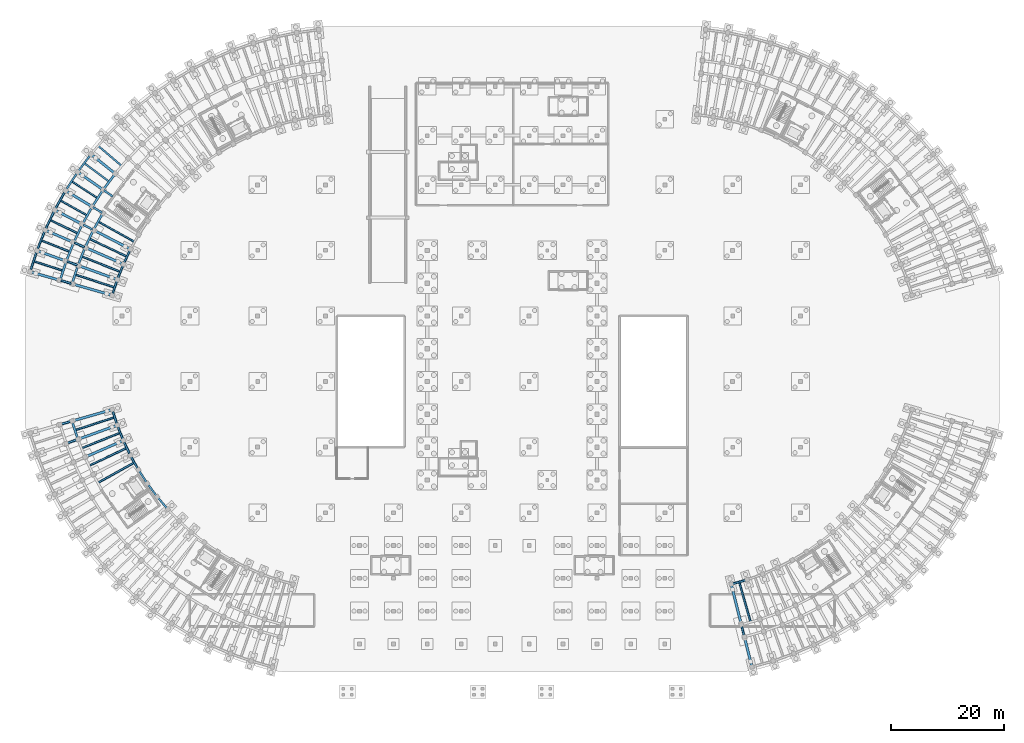
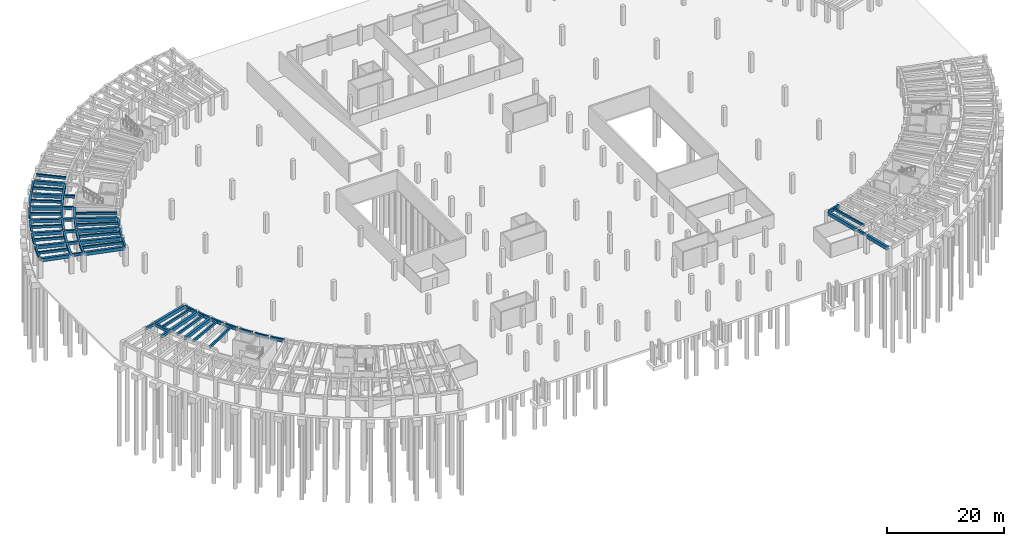
# One storey, part 11 of 29: 69 beams.
"""IFC4 building model written with IfcOpenShell, lengths in metres."""

from ifc_helpers import new_model, si_unit, direction, frame, origin, origin_2d, place, context, subcontext, project, spatial, rectangle, extrude, material, material_profile, profile_set, type_object, element, save


model = new_model("IFC4")

# Units and contexts
model_context = context("Model", 3, precision=1e-05, world=origin(), true_north=direction((0.0, 1.0)))
body_context = subcontext(model_context, "Body", "Model", "MODEL_VIEW")
ifc_project = project(units=[si_unit("LENGTHUNIT", "METRE"), si_unit("AREAUNIT", "SQUARE_METRE"), si_unit("VOLUMEUNIT", "CUBIC_METRE"), si_unit("PLANEANGLEUNIT", "RADIAN"), si_unit("MASSUNIT", "GRAM", prefix="KILO")], contexts=[model_context])

# Site, building, storey
site_placement = place(None, origin())
site = spatial("IfcSite", under=ifc_project, at=site_placement, CompositionType="ELEMENT")
building_placement = place(site_placement, origin())
building = spatial("IfcBuilding", under=site, at=building_placement, Name="Tanwirah Colonnade Gardens", CompositionType="ELEMENT")
storey_placement = place(building_placement, frame((0.0, 0.0, -4.199951171875)))
storey = spatial("IfcBuildingStorey", under=building, at=storey_placement, Name="B1", CompositionType="ELEMENT", Elevation=-4.199951171875)

# Beams
ifc_material_1 = material(Name="Precast concrete C40/50", Category="concrete")
ifc_material_profile_1 = material_profile(ifc_material_1, rectangle(XDim=0.320068359375, YDim=0.52001953125, at=origin_2d()), Name="PC-BM 320x520")
ifc_profile_set_1 = profile_set([ifc_material_profile_1], Name="Precast concrete C40/50")
beam_type_1 = type_object("IfcBeamType", Name="BM-PC320", PredefinedType="BEAM", material=ifc_profile_set_1)
beam_1_placement = place(storey_placement, frame((133.579833984375, 14.044677734375, 3.659912109375), z_axis=(0.241961122321, -0.970285945114, 0.0), x_axis=(0.970285945114, 0.241961122321, 0.0)))
element("IfcBeam", 1, at=beam_1_placement, inside=storey, type_object=beam_type_1, Name="Block D B1 Corridor Tie Beam 0", PredefinedType="BEAM", context=body_context, shape_type="SweptSolid", body=[
    extrude(rectangle(XDim=0.320068359375, YDim=0.52001953125, at=origin_2d()), origin(), (0.0, 0.0, 1.0), 1.89990234375),
])
ifc_material_profile_2 = material_profile(ifc_material_1, rectangle(XDim=0.35009765625, YDim=0.550048828125, at=origin_2d()), Name="PC-BM 350x550")
ifc_profile_set_2 = profile_set([ifc_material_profile_2], Name="Precast concrete C40/50")
beam_type_2 = type_object("IfcBeamType", Name="BM-PC350A", PredefinedType="BEAM", material=ifc_profile_set_2)
for number, where, z_axis, x_axis, name in (
    (2, (22.346435546875, 89.943359375, 3.64501953125), (-0.820305001782, 0.571926309983, 0.0), (-0.571926309983, -0.820305001782, 0.0), "Block A B1 Corridor Tie Beam 13"),
    (3, (20.479248046875, 87.068359375, 3.64501953125), (-0.856174920318, 0.516686080534, 0.0), (-0.516686080534, -0.856174920318, 0.0), "Block A B1 Corridor Tie Beam 14"),
    (4, (18.8056640625, 84.07666015625, 3.64501953125), (-0.888358643941, 0.459150214784, 0.0), (-0.459150214784, -0.888358643941, 0.0), "Block A B1 Corridor Tie Beam 15"),
    (5, (17.3330078125, 80.981201171875, 3.64501953125), (-0.916681481826, 0.399618644306, 0.0), (-0.399618644306, -0.916681481826, 0.0), "Block A B1 Corridor Tie Beam 16"),
    (6, (16.0673828125, 77.79541015625, 3.64501953125), (-0.941021664552, 0.338346311999, 0.0), (-0.338346311999, -0.941021664552, 0.0), "Block A B1 Corridor Tie Beam 17"),
    (7, (15.014404296875, 74.533203125, 3.64501953125), (-0.961266538157, 0.275620468433, 0.0), (-0.275620468433, -0.961266538157, 0.0), "Block A B1 Corridor Tie Beam 18"),
    (8, (15.014404296875, 50.166748046875, 3.64501953125), (-0.961266538157, -0.275620468433, 0.0), (0.275620468433, -0.961266538157, 0.0), "Block C B1 Corridor Tie Beam 0"),
    (9, (16.058837890625, 46.92822265625, 3.64501953125), (-0.941214575511, -0.337809299525, 0.0), (0.337809299525, -0.941214575511, 0.0), "Block C B1 Corridor Tie Beam 1"),
):
    element("IfcBeam", number, at=place(storey_placement, frame(where, z_axis=z_axis, x_axis=x_axis)), inside=storey, type_object=beam_type_2, Name=name, PredefinedType="BEAM", context=body_context, shape_type="SweptSolid", body=[
        extrude(rectangle(XDim=0.35009765625, YDim=0.550048828125, at=origin_2d()), origin(), (0.0, 0.0, 1.0), 1.89990234375),
    ])
ifc_material_profile_3 = material_profile(ifc_material_1, rectangle(XDim=0.3798828125, YDim=0.6201171875, at=origin_2d()), Name="PC-BM 380x620")
ifc_profile_set_3 = profile_set([ifc_material_profile_3], Name="Precast concrete C40/50")
beam_type_3 = type_object("IfcBeamType", Name="BM-PC380", PredefinedType="BEAM", material=ifc_profile_set_3)
for number, where, z_axis, x_axis, name in (
    (10, (22.708251953125, 93.849609375, 3.60986328125), (-0.59871829396, -0.800959677186, 0.0), (0.800959677186, -0.59871829396, 0.0), "Block A B1 Circumferential Beam 12-R2"),
    (11, (20.5830078125, 90.989990234375, 3.60986328125), (-0.544627998385, -0.838677735114, 0.0), (0.838677735114, -0.544627998385, 0.0), "Block A B1 Circumferential Beam 13-R2"),
):
    element("IfcBeam", number, at=place(storey_placement, frame(where, z_axis=z_axis, x_axis=x_axis)), inside=storey, type_object=beam_type_3, Name=name, PredefinedType="BEAM", context=body_context, shape_type="SweptSolid", body=[
        extrude(rectangle(XDim=0.3798828125, YDim=0.6201171875, at=origin_2d()), origin(), (0.0, 0.0, 1.0), 3.262939453125),
    ])
beam_2_placement = place(storey_placement, frame((20.534423828125, 86.85986328125, 3.60986328125), z_axis=(-0.488200372352, -0.872731571811, 0.0), x_axis=(0.872731571811, -0.488200372352, 0.0)))
element("IfcBeam", 12, at=beam_2_placement, inside=storey, type_object=beam_type_3, Name="Block A B1 Circumferential Beam 14-R1", PredefinedType="BEAM", context=body_context, shape_type="SweptSolid", body=[
    extrude(rectangle(XDim=0.3798828125, YDim=0.6201171875, at=origin_2d()), origin(), (0.0, 0.0, 1.0), 3.117919921875),
])
beam_3_placement = place(storey_placement, frame((18.65087890625, 87.99658203125, 3.60986328125), z_axis=(-0.488213717102, -0.87272410671, 0.0), x_axis=(0.87272410671, -0.488213717102, 0.0)))
element("IfcBeam", 13, at=beam_3_placement, inside=storey, type_object=beam_type_3, Name="Block A B1 Circumferential Beam 14-R2", PredefinedType="BEAM", context=body_context, shape_type="SweptSolid", body=[
    extrude(rectangle(XDim=0.3798828125, YDim=0.6201171875, at=origin_2d()), origin(), (0.0, 0.0, 1.0), 3.262939453125),
])
beam_4_placement = place(storey_placement, frame((18.87451171875, 83.872314453125, 3.60986328125), z_axis=(-0.429620507728, -0.903009534468, 0.0), x_axis=(0.903009534468, -0.429620507728, 0.0)))
element("IfcBeam", 14, at=beam_4_placement, inside=storey, type_object=beam_type_3, Name="Block A B1 Circumferential Beam 15-R1", PredefinedType="BEAM", context=body_context, shape_type="SweptSolid", body=[
    extrude(rectangle(XDim=0.3798828125, YDim=0.6201171875, at=origin_2d()), origin(), (0.0, 0.0, 1.0), 3.1181640625),
])
beam_5_placement = place(storey_placement, frame((16.920166015625, 84.882568359375, 3.60986328125), z_axis=(-0.4295908638, -0.90302363742, 0.0), x_axis=(0.90302363742, -0.4295908638, 0.0)))
element("IfcBeam", 15, at=beam_5_placement, inside=storey, type_object=beam_type_3, Name="Block A B1 Circumferential Beam 15-R2", PredefinedType="BEAM", context=body_context, shape_type="SweptSolid", body=[
    extrude(rectangle(XDim=0.3798828125, YDim=0.6201171875, at=origin_2d()), origin(), (0.0, 0.0, 1.0), 3.26318359375),
])
beam_6_placement = place(storey_placement, frame((17.4150390625, 80.78173828125, 3.60986328125), z_axis=(-0.369189105832, -0.929354294193, 0.0), x_axis=(0.929354294193, -0.369189105832, 0.0)))
element("IfcBeam", 16, at=beam_6_placement, inside=storey, type_object=beam_type_3, Name="Block A B1 Circumferential Beam 16-R1", PredefinedType="BEAM", context=body_context, shape_type="SweptSolid", body=[
    extrude(rectangle(XDim=0.3798828125, YDim=0.6201171875, at=origin_2d()), origin(), (0.0, 0.0, 1.0), 3.117919921875),
])
beam_7_placement = place(storey_placement, frame((15.3984375, 81.6611328125, 3.60986328125), z_axis=(-0.369209712056, -0.929346108037, 0.0), x_axis=(0.929346108037, -0.369209712056, 0.0)))
element("IfcBeam", 17, at=beam_7_placement, inside=storey, type_object=beam_type_3, Name="Block A B1 Circumferential Beam 16-R2", PredefinedType="BEAM", context=body_context, shape_type="SweptSolid", body=[
    extrude(rectangle(XDim=0.3798828125, YDim=0.6201171875, at=origin_2d()), origin(), (0.0, 0.0, 1.0), 3.26318359375),
])
beam_8_placement = place(storey_placement, frame((16.162353515625, 77.601806640625, 3.60986328125), z_axis=(-0.307169780148, -0.951654730542, 0.0), x_axis=(0.951654730542, -0.307169780148, 0.0)))
element("IfcBeam", 18, at=beam_8_placement, inside=storey, type_object=beam_type_3, Name="Block A B1 Circumferential Beam 17-R1", PredefinedType="BEAM", context=body_context, shape_type="SweptSolid", body=[
    extrude(rectangle(XDim=0.3798828125, YDim=0.6201171875, at=origin_2d()), origin(), (0.0, 0.0, 1.0), 3.117919921875),
])
beam_9_placement = place(storey_placement, frame((14.09228515625, 78.34619140625, 3.60986328125), z_axis=(-0.307212636327, -0.9516408966, 0.0), x_axis=(0.9516408966, -0.307212636327, 0.0)))
element("IfcBeam", 19, at=beam_9_placement, inside=storey, type_object=beam_type_3, Name="Block A B1 Circumferential Beam 17-R2", PredefinedType="BEAM", context=body_context, shape_type="SweptSolid", body=[
    extrude(rectangle(XDim=0.3798828125, YDim=0.6201171875, at=origin_2d()), origin(), (0.0, 0.0, 1.0), 3.262939453125),
])
beam_10_placement = place(storey_placement, frame((15.20458984375, 50.0654296875, 3.60986328125), z_axis=(0.306977410573, -0.951716801048, 0.0), x_axis=(0.951716801048, 0.306977410573, 0.0)))
element("IfcBeam", 20, at=beam_10_placement, inside=storey, type_object=beam_type_3, Name="Block C B1 Circumferential Beam 0-R1", PredefinedType="BEAM", context=body_context, shape_type="SweptSolid", body=[
    extrude(rectangle(XDim=0.3798828125, YDim=0.6201171875, at=origin_2d()), origin(), (0.0, 0.0, 1.0), 3.093017578125),
])
ifc_material_2 = material(Name="Precast concrete C45/55", Category="concrete")
ifc_material_profile_4 = material_profile(ifc_material_2, rectangle(XDim=0.449951171875, YDim=0.699951171875, at=origin_2d()), Name="PC-BM 450x700")
ifc_profile_set_4 = profile_set([ifc_material_profile_4], Name="Precast concrete C45/55")
beam_type_4 = type_object("IfcBeamType", Name="BM-PC450", PredefinedType="BEAM", material=ifc_profile_set_4)
for number, where, z_axis, x_axis, name in (
    (21, (22.680908203125, 94.0634765625, 3.570068359375), (-0.780777191444, 0.62480955284, 0.0), (-0.62480955284, -0.780777191444, 0.0), "Block A B1 Outer Radial Precast Girder 12"),
    (22, (20.541748046875, 91.20166015625, 3.570068359375), (-0.82026065953, 0.57198990413, 0.0), (-0.57198990413, -0.82026065953, 0.0), "Block A B1 Outer Radial Precast Girder 13"),
):
    element("IfcBeam", number, at=place(storey_placement, frame(where, z_axis=z_axis, x_axis=x_axis)), inside=storey, type_object=beam_type_4, Name=name, PredefinedType="BEAM", context=body_context, shape_type="SweptSolid", body=[
        extrude(rectangle(XDim=0.449951171875, YDim=0.699951171875, at=origin_2d()), origin(), (0.0, 0.0, 1.0), 5.199951171875),
    ])
beam_11_placement = place(storey_placement, frame((18.595703125, 88.205078125, 3.570068359375), z_axis=(-0.856164383855, 0.516703539584, 0.0), x_axis=(-0.516703539584, -0.856164383855, 0.0)))
element("IfcBeam", 23, at=beam_11_placement, inside=storey, type_object=beam_type_4, Name="Block A B1 Outer Radial Precast Girder 14", PredefinedType="BEAM", context=body_context, shape_type="SweptSolid", body=[
    extrude(rectangle(XDim=0.449951171875, YDim=0.699951171875, at=origin_2d()), origin(), (0.0, 0.0, 1.0), 5.19970703125),
])
beam_12_placement = place(storey_placement, frame((19.072265625, 83.93896484375, 3.570068359375), z_axis=(0.888342925962, -0.459180624475, 0.0), x_axis=(0.459180624475, 0.888342925962, 0.0)))
element("IfcBeam", 24, at=beam_12_placement, inside=storey, type_object=beam_type_4, Name="Block A B1 Inner Radial Precast Girder 15", PredefinedType="BEAM", context=body_context, shape_type="SweptSolid", body=[
    extrude(rectangle(XDim=0.449951171875, YDim=0.699951171875, at=origin_2d()), origin(), (0.0, 0.0, 1.0), 7.10009765625),
])
beam_13_placement = place(storey_placement, frame((16.851318359375, 85.0869140625, 3.570068359375), z_axis=(-0.888365586169, 0.459136782789, 0.0), x_axis=(-0.459136782789, -0.888365586169, 0.0)))
element("IfcBeam", 25, at=beam_13_placement, inside=storey, type_object=beam_type_4, Name="Block A B1 Outer Radial Precast Girder 15", PredefinedType="BEAM", context=body_context, shape_type="SweptSolid", body=[
    extrude(rectangle(XDim=0.449951171875, YDim=0.699951171875, at=origin_2d()), origin(), (0.0, 0.0, 1.0), 5.199951171875),
])
beam_14_placement = place(storey_placement, frame((17.60791015625, 80.861328125, 3.570068359375), z_axis=(0.916678201221, -0.399626169571, 0.0), x_axis=(0.399626169571, 0.916678201221, 0.0)))
element("IfcBeam", 26, at=beam_14_placement, inside=storey, type_object=beam_type_4, Name="Block A B1 Inner Radial Precast Girder 16", PredefinedType="BEAM", context=body_context, shape_type="SweptSolid", body=[
    extrude(rectangle(XDim=0.449951171875, YDim=0.699951171875, at=origin_2d()), origin(), (0.0, 0.0, 1.0), 7.10009765625),
])
beam_15_placement = place(storey_placement, frame((15.31640625, 81.8603515625, 3.570068359375), z_axis=(-0.916677002552, 0.399628919115, 0.0), x_axis=(-0.399628919115, -0.916677002552, 0.0)))
element("IfcBeam", 27, at=beam_15_placement, inside=storey, type_object=beam_type_4, Name="Block A B1 Outer Radial Precast Girder 16", PredefinedType="BEAM", context=body_context, shape_type="SweptSolid", body=[
    extrude(rectangle(XDim=0.449951171875, YDim=0.699951171875, at=origin_2d()), origin(), (0.0, 0.0, 1.0), 5.2001953125),
])
beam_16_placement = place(storey_placement, frame((16.349609375, 77.69384765625, 3.570068359375), z_axis=(0.941016219432, -0.338361455792, 0.0), x_axis=(0.338361455792, 0.941016219432, 0.0)))
element("IfcBeam", 28, at=beam_16_placement, inside=storey, type_object=beam_type_4, Name="Block A B1 Inner Radial Precast Girder 17", PredefinedType="BEAM", context=body_context, shape_type="SweptSolid", body=[
    extrude(rectangle(XDim=0.449951171875, YDim=0.699951171875, at=origin_2d()), origin(), (0.0, 0.0, 1.0), 7.099853515625),
])
beam_17_placement = place(storey_placement, frame((13.9970703125, 78.539794921875, 3.570068359375), z_axis=(-0.941014229933, 0.338366988731, 0.0), x_axis=(-0.338366988731, -0.941014229933, 0.0)))
element("IfcBeam", 29, at=beam_17_placement, inside=storey, type_object=beam_type_4, Name="Block A B1 Outer Radial Precast Girder 17", PredefinedType="BEAM", context=body_context, shape_type="SweptSolid", body=[
    extrude(rectangle(XDim=0.449951171875, YDim=0.699951171875, at=origin_2d()), origin(), (0.0, 0.0, 1.0), 5.199951171875),
])
beam_18_placement = place(storey_placement, frame((15.302734375, 74.450439453125, 3.570068359375), z_axis=(0.961261397636, -0.275638396117, 0.0), x_axis=(0.275638396117, 0.961261397636, 0.0)))
element("IfcBeam", 30, at=beam_18_placement, inside=storey, type_object=beam_type_4, Name="Block A B1 Inner Radial Precast Girder 18", PredefinedType="BEAM", context=body_context, shape_type="SweptSolid", body=[
    extrude(rectangle(XDim=0.449951171875, YDim=0.699951171875, at=origin_2d()), origin(), (0.0, 0.0, 1.0), 7.10009765625),
])
beam_19_placement = place(storey_placement, frame((12.899658203125, 75.1396484375, 3.570068359375), z_axis=(-0.961271958689, 0.275601562836, 0.0), x_axis=(-0.275601562836, -0.961271958689, 0.0)))
element("IfcBeam", 31, at=beam_19_placement, inside=storey, type_object=beam_type_4, Name="Block A B1 Outer Radial Precast Girder 18", PredefinedType="BEAM", context=body_context, shape_type="SweptSolid", body=[
    extrude(rectangle(XDim=0.449951171875, YDim=0.699951171875, at=origin_2d()), origin(), (0.0, 0.0, 1.0), 5.199951171875),
])
beam_20_placement = place(storey_placement, frame((15.302734375, 50.24951171875, 3.570068359375), z_axis=(0.961261397636, 0.275638396117, 0.0), x_axis=(-0.275638396117, 0.961261397636, 0.0)))
element("IfcBeam", 32, at=beam_20_placement, inside=storey, type_object=beam_type_4, Name="Block C B1 Inner Radial Precast Girder 0", PredefinedType="BEAM", context=body_context, shape_type="SweptSolid", body=[
    extrude(rectangle(XDim=0.449951171875, YDim=0.699951171875, at=origin_2d()), origin(), (0.0, 0.0, 1.0), 7.10009765625),
])
beam_21_placement = place(storey_placement, frame((16.34130859375, 47.02978515625, 3.570068359375), z_axis=(0.941174201015, 0.33792177104, 0.0), x_axis=(-0.33792177104, 0.941174201015, 0.0)))
element("IfcBeam", 33, at=beam_21_placement, inside=storey, type_object=beam_type_4, Name="Block C B1 Inner Radial Precast Girder 1", PredefinedType="BEAM", context=body_context, shape_type="SweptSolid", body=[
    extrude(rectangle(XDim=0.449951171875, YDim=0.699951171875, at=origin_2d()), origin(), (0.0, 0.0, 1.0), 7.099853515625),
])
for number, where, z_axis, x_axis, name in (
    (34, (17.587890625, 43.884765625, 3.570068359375), (0.917065682823, 0.398736170154, 0.0), (-0.398736170154, 0.917065682823, 0.0), "Block C B1 Inner Radial Precast Girder 2"),
    (35, (133.50732421875, 14.335693359375, 3.570068359375), (-0.241904492141, 0.97030006528, 0.0), (-0.97030006528, -0.241904492141, 0.0), "Block D B1 Inner Radial Precast Girder 0"),
):
    element("IfcBeam", number, at=place(storey_placement, frame(where, z_axis=z_axis, x_axis=x_axis)), inside=storey, type_object=beam_type_4, Name=name, PredefinedType="BEAM", context=body_context, shape_type="SweptSolid", body=[
        extrude(rectangle(XDim=0.449951171875, YDim=0.699951171875, at=origin_2d()), origin(), (0.0, 0.0, 1.0), 7.10009765625),
    ])
beam_22_placement = place(storey_placement, frame((134.112060546875, 11.909912109375, 3.570068359375), z_axis=(0.241939024015, -0.970291455522, 0.0), x_axis=(0.970291455522, 0.241939024015, 0.0)))
element("IfcBeam", 36, at=beam_22_placement, inside=storey, type_object=beam_type_4, Name="Block D B1 Outer Radial Precast Girder 0", PredefinedType="BEAM", context=body_context, shape_type="SweptSolid", body=[
    extrude(rectangle(XDim=0.449951171875, YDim=0.699951171875, at=origin_2d()), origin(), (0.0, 0.0, 1.0), 5.199951171875),
])
ifc_material_profile_5 = material_profile(ifc_material_1, rectangle(XDim=0.300048828125, YDim=0.5, at=origin_2d()), Name="PC-JST 300x500")
ifc_profile_set_5 = profile_set([ifc_material_profile_5], Name="Precast concrete C40/50")
beam_type_5 = type_object("IfcBeamType", Name="JST-PC300", PredefinedType="JOIST", material=ifc_profile_set_5)
beam_23_placement = place(storey_placement, frame((23.843017578125, 95.42041015625, 3.669921875), z_axis=(-0.759770723643, 0.65019108537, 0.0), x_axis=(-0.65019108537, -0.759770723643, 0.0)))
element("IfcBeam", 37, at=beam_23_placement, inside=storey, type_object=beam_type_5, Name="Block A B1 Precast Floor Joist 11", PredefinedType="JOIST", context=body_context, shape_type="SweptSolid", body=[
    extrude(rectangle(XDim=0.300048828125, YDim=0.5, at=origin_2d()), origin(), (0.0, 0.0, 1.0), 5.26025390625),
])
beam_24_placement = place(storey_placement, frame((21.61181640625, 92.63232421875, 3.669921875), z_axis=(-0.800973647215, 0.598699604533, 0.0), x_axis=(-0.598699604533, -0.800973647215, 0.0)))
element("IfcBeam", 38, at=beam_24_placement, inside=storey, type_object=beam_type_5, Name="Block A B1 Precast Floor Joist 12", PredefinedType="JOIST", context=body_context, shape_type="SweptSolid", body=[
    extrude(rectangle(XDim=0.300048828125, YDim=0.5, at=origin_2d()), origin(), (0.0, 0.0, 1.0), 5.260009765625),
])
beam_25_placement = place(storey_placement, frame((19.5693359375, 89.703125, 3.669921875), z_axis=(-0.83868742622, 0.544613074669, 0.0), x_axis=(-0.544613074669, -0.83868742622, 0.0)))
element("IfcBeam", 39, at=beam_25_placement, inside=storey, type_object=beam_type_5, Name="Block A B1 Precast Floor Joist 13", PredefinedType="JOIST", context=body_context, shape_type="SweptSolid", body=[
    extrude(rectangle(XDim=0.300048828125, YDim=0.5, at=origin_2d()), origin(), (0.0, 0.0, 1.0), 5.26025390625),
])
beam_26_placement = place(storey_placement, frame((17.72412109375, 86.645751953125, 3.669921875), z_axis=(-0.872737031138, 0.488190612855, 0.0), x_axis=(-0.488190612855, -0.872737031138, 0.0)))
element("IfcBeam", 40, at=beam_26_placement, inside=storey, type_object=beam_type_5, Name="Block A B1 Precast Floor Joist 14", PredefinedType="JOIST", context=body_context, shape_type="SweptSolid", body=[
    extrude(rectangle(XDim=0.300048828125, YDim=0.5, at=origin_2d()), origin(), (0.0, 0.0, 1.0), 5.260009765625),
])
beam_27_placement = place(storey_placement, frame((26.102294921875, 81.958984375, 3.669921875), z_axis=(-0.872726875563, 0.488208767506, 0.0), x_axis=(-0.488208767506, -0.872726875563, 0.0)))
element("IfcBeam", 41, at=beam_27_placement, inside=storey, type_object=beam_type_5, Name="Block A B1 Inner Precast Floor Joist 14", PredefinedType="JOIST", context=body_context, shape_type="SweptSolid", body=[
    extrude(rectangle(XDim=0.300048828125, YDim=0.5, at=origin_2d()), origin(), (0.0, 0.0, 1.0), 7.16015625),
])
beam_28_placement = place(storey_placement, frame((16.08447265625, 83.473388671875, 3.669921875), z_axis=(-0.903018314862, 0.429602051931, 0.0), x_axis=(-0.429602051931, -0.903018314862, 0.0)))
element("IfcBeam", 42, at=beam_28_placement, inside=storey, type_object=beam_type_5, Name="Block A B1 Precast Floor Joist 15", PredefinedType="JOIST", context=body_context, shape_type="SweptSolid", body=[
    extrude(rectangle(XDim=0.300048828125, YDim=0.5, at=origin_2d()), origin(), (0.0, 0.0, 1.0), 5.26025390625),
])
beam_29_placement = place(storey_placement, frame((24.753173828125, 79.348876953125, 3.669921875), z_axis=(-0.903005429363, 0.429629136048, 0.0), x_axis=(-0.429629136048, -0.903005429363, 0.0)))
element("IfcBeam", 43, at=beam_29_placement, inside=storey, type_object=beam_type_5, Name="Block A B1 Inner Precast Floor Joist 15", PredefinedType="JOIST", context=body_context, shape_type="SweptSolid", body=[
    extrude(rectangle(XDim=0.300048828125, YDim=0.5, at=origin_2d()), origin(), (0.0, 0.0, 1.0), 7.16015625),
])
beam_30_placement = place(storey_placement, frame((14.6572265625, 80.199951171875, 3.669921875), z_axis=(-0.929357539836, 0.369180935517, 0.0), x_axis=(-0.369180935517, -0.929357539836, 0.0)))
element("IfcBeam", 44, at=beam_30_placement, inside=storey, type_object=beam_type_5, Name="Block A B1 Precast Floor Joist 16", PredefinedType="JOIST", context=body_context, shape_type="SweptSolid", body=[
    extrude(rectangle(XDim=0.300048828125, YDim=0.5, at=origin_2d()), origin(), (0.0, 0.0, 1.0), 5.260009765625),
])
beam_31_placement = place(storey_placement, frame((23.578857421875, 76.655517578125, 3.669921875), z_axis=(-0.929344232768, 0.369214432303, 0.0), x_axis=(-0.369214432303, -0.929344232768, 0.0)))
element("IfcBeam", 45, at=beam_31_placement, inside=storey, type_object=beam_type_5, Name="Block A B1 Inner Precast Floor Joist 16", PredefinedType="JOIST", context=body_context, shape_type="SweptSolid", body=[
    extrude(rectangle(XDim=0.300048828125, YDim=0.5, at=origin_2d()), origin(), (0.0, 0.0, 1.0), 7.159912109375),
])
beam_32_placement = place(storey_placement, frame((13.448974609375, 76.839599609375, 3.669921875), z_axis=(-0.951656985441, 0.307162794072, 0.0), x_axis=(-0.307162794072, -0.951656985441, 0.0)))
element("IfcBeam", 46, at=beam_32_placement, inside=storey, type_object=beam_type_5, Name="Block A B1 Precast Floor Joist 17", PredefinedType="JOIST", context=body_context, shape_type="SweptSolid", body=[
    extrude(rectangle(XDim=0.300048828125, YDim=0.5, at=origin_2d()), origin(), (0.0, 0.0, 1.0), 5.26025390625),
])
beam_33_placement = place(storey_placement, frame((22.584716796875, 73.890625, 3.669921875), z_axis=(-0.951647858625, 0.307191069489, 0.0), x_axis=(-0.307191069489, -0.951647858625, 0.0)))
element("IfcBeam", 47, at=beam_33_placement, inside=storey, type_object=beam_type_5, Name="Block A B1 Inner Precast Floor Joist 17", PredefinedType="JOIST", context=body_context, shape_type="SweptSolid", body=[
    extrude(rectangle(XDim=0.300048828125, YDim=0.5, at=origin_2d()), origin(), (0.0, 0.0, 1.0), 7.159912109375),
])
for number, where, z_axis, x_axis, name in (
    (48, (22.58154296875, 50.819580078125, 3.669921875), (-0.951727255502, -0.30694499692, 0.0), (0.30694499692, -0.951727255502, 0.0), "Block C B1 Inner Precast Floor Joist 0"),
    (49, (23.567138671875, 48.07470703125, 3.669921875), (-0.929619798141, -0.368520054956, 0.0), (0.368520054956, -0.929619798141, 0.0), "Block C B1 Inner Precast Floor Joist 1"),
):
    element("IfcBeam", number, at=place(storey_placement, frame(where, z_axis=z_axis, x_axis=x_axis)), inside=storey, type_object=beam_type_5, Name=name, PredefinedType="JOIST", context=body_context, shape_type="SweptSolid", body=[
        extrude(rectangle(XDim=0.300048828125, YDim=0.5, at=origin_2d()), origin(), (0.0, 0.0, 1.0), 7.16015625),
    ])
for number, where, z_axis, x_axis, name in (
    (50, (24.72998046875, 45.39990234375, 3.669921875), (-0.903522492189, -0.428540670308, 0.0), (0.428540670308, -0.903522492189, 0.0), "Block C B1 Inner Precast Floor Joist 2"),
    (51, (26.0654296875, 42.80712890625, 3.669921875), (-0.873559899034, -0.486716655561, 0.0), (0.486716655561, -0.873559899034, 0.0), "Block C B1 Inner Precast Floor Joist 3"),
    (52, (133.191650390625, 21.6298828125, 3.669921875), (0.273532000762, -0.961862903204, 0.0), (0.961862903204, 0.273532000762, 0.0), "Block D B1 Inner Precast Floor Joist 0"),
):
    element("IfcBeam", number, at=place(storey_placement, frame(where, z_axis=z_axis, x_axis=x_axis)), inside=storey, type_object=beam_type_5, Name=name, PredefinedType="JOIST", context=body_context, shape_type="SweptSolid", body=[
        extrude(rectangle(XDim=0.300048828125, YDim=0.5, at=origin_2d()), origin(), (0.0, 0.0, 1.0), 7.159912109375),
    ])
ifc_material_profile_6 = material_profile(ifc_material_1, rectangle(XDim=0.324951171875, YDim=0.68505859375, at=origin_2d()), Name="PC-SP 325x685")
ifc_profile_set_6 = profile_set([ifc_material_profile_6], Name="Precast concrete C40/50")
beam_type_6 = type_object("IfcBeamType", Name="SP-PC260", PredefinedType="SPANDREL", material=ifc_profile_set_6)
beam_34_placement = place(storey_placement, frame((131.897705078125, 21.411376953125, 3.577392578125), z_axis=(0.961858721299, 0.273546705814, 0.0), x_axis=(-0.273546705814, 0.961858721299, 0.0)))
element("IfcBeam", 53, at=beam_34_placement, inside=storey, type_object=beam_type_6, Name="Block D B1 Circumferential Beam 0-R0", PredefinedType="SPANDREL", context=body_context, shape_type="SweptSolid", body=[
    extrude(rectangle(XDim=0.324951171875, YDim=0.68505859375, at=origin_2d()), origin(), (0.0, 0.0, 1.0), 2.60888671875),
])
ifc_material_profile_7 = material_profile(ifc_material_1, rectangle(XDim=0.330078125, YDim=0.68994140625, at=origin_2d()), Name="PC-SP 330x690")
ifc_profile_set_7 = profile_set([ifc_material_profile_7], Name="Precast concrete C40/50")
beam_type_7 = type_object("IfcBeamType", Name="SP-PC280", PredefinedType="SPANDREL", material=ifc_profile_set_7)
beam_35_placement = place(storey_placement, frame((22.31787109375, 52.105224609375, 3.574951171875), z_axis=(0.306948094518, -0.951726256479, 0.0), x_axis=(0.951726256479, 0.306948094518, 0.0)))
element("IfcBeam", 54, at=beam_35_placement, inside=storey, type_object=beam_type_7, Name="Block C B1 Circumferential Beam 0-R0", PredefinedType="SPANDREL", context=body_context, shape_type="SweptSolid", body=[
    extrude(rectangle(XDim=0.330078125, YDim=0.68994140625, at=origin_2d()), origin(), (0.0, 0.0, 1.0), 2.60888671875),
])
beam_36_placement = place(storey_placement, frame((23.219970703125, 49.340087890625, 3.574951171875), z_axis=(0.368549031306, -0.929608310808, 0.0), x_axis=(0.929608310808, 0.368549031306, 0.0)))
element("IfcBeam", 55, at=beam_36_placement, inside=storey, type_object=beam_type_7, Name="Block C B1 Circumferential Beam 1-R0", PredefinedType="SPANDREL", context=body_context, shape_type="SweptSolid", body=[
    extrude(rectangle(XDim=0.330078125, YDim=0.68994140625, at=origin_2d()), origin(), (0.0, 0.0, 1.0), 2.608642578125),
])
beam_37_placement = place(storey_placement, frame((24.301025390625, 46.64013671875, 3.574951171875), z_axis=(0.428512709915, -0.903535753272, 0.0), x_axis=(0.903535753272, 0.428512709915, 0.0)))
element("IfcBeam", 56, at=beam_37_placement, inside=storey, type_object=beam_type_7, Name="Block C B1 Circumferential Beam 2-R0", PredefinedType="SPANDREL", context=body_context, shape_type="SweptSolid", body=[
    extrude(rectangle(XDim=0.330078125, YDim=0.68994140625, at=origin_2d()), origin(), (0.0, 0.0, 1.0), 2.60888671875),
])
beam_38_placement = place(storey_placement, frame((25.55615234375, 44.016357421875, 3.574951171875), z_axis=(0.486747049114, -0.873542964129, 0.0), x_axis=(0.873542964129, 0.486747049114, 0.0)))
element("IfcBeam", 57, at=beam_38_placement, inside=storey, type_object=beam_type_7, Name="Block C B1 Circumferential Beam 3-R0", PredefinedType="SPANDREL", context=body_context, shape_type="SweptSolid", body=[
    extrude(rectangle(XDim=0.330078125, YDim=0.68994140625, at=origin_2d()), origin(), (0.0, 0.0, 1.0), 2.608642578125),
])
beam_39_placement = place(storey_placement, frame((26.980224609375, 41.48046875, 3.574951171875), z_axis=(0.542874837406, -0.83981361677, 0.0), x_axis=(0.83981361677, 0.542874837406, 0.0)))
element("IfcBeam", 58, at=beam_39_placement, inside=storey, type_object=beam_type_7, Name="Block C B1 Circumferential Beam 4-R0", PredefinedType="SPANDREL", context=body_context, shape_type="SweptSolid", body=[
    extrude(rectangle(XDim=0.330078125, YDim=0.68994140625, at=origin_2d()), origin(), (0.0, 0.0, 1.0), 2.60888671875),
])
beam_40_placement = place(storey_placement, frame((28.5673828125, 39.043212890625, 3.574951171875), z_axis=(0.596565220249, -0.802564600508, 0.0), x_axis=(0.802564600508, 0.596565220249, 0.0)))
element("IfcBeam", 59, at=beam_40_placement, inside=storey, type_object=beam_type_7, Name="Block C B1 Circumferential Beam 5-R0", PredefinedType="SPANDREL", context=body_context, shape_type="SweptSolid", body=[
    extrude(rectangle(XDim=0.330078125, YDim=0.68994140625, at=origin_2d()), origin(), (0.0, 0.0, 1.0), 2.6083984375),
])
beam_41_placement = place(storey_placement, frame((30.310302734375, 36.71484375, 3.574951171875), z_axis=(0.647811402053, -0.761800753065, 0.0), x_axis=(0.761800753065, 0.647811402053, 0.0)))
element("IfcBeam", 60, at=beam_41_placement, inside=storey, type_object=beam_type_7, Name="Block C B1 Circumferential Beam 6-R0", PredefinedType="SPANDREL", context=body_context, shape_type="SweptSolid", body=[
    extrude(rectangle(XDim=0.330078125, YDim=0.68994140625, at=origin_2d()), origin(), (0.0, 0.0, 1.0), 2.608642578125),
])
ifc_material_profile_8 = material_profile(ifc_material_2, rectangle(XDim=0.320068359375, YDim=0.679931640625, at=origin_2d()), Name="PC-SP 320x680")
ifc_profile_set_8 = profile_set([ifc_material_profile_8], Name="Precast concrete C45/55")
beam_type_8 = type_object("IfcBeamType", Name="SP-PC320", PredefinedType="SPANDREL", material=ifc_profile_set_8)
for number, where, z_axis, x_axis, name in (
    (61, (18.413818359375, 97.285888671875, 3.579833984375), (-0.598695554058, -0.800976674786, 0.0), (0.800976674786, -0.598695554058, 0.0), "Block A B1 Circumferential Beam 12-R3"),
    (62, (16.071533203125, 94.135986328125, 3.579833984375), (-0.544621436184, -0.838681996497, 0.0), (0.838681996497, -0.544621436184, 0.0), "Block A B1 Circumferential Beam 13-R3"),
    (63, (13.942138671875, 90.838623046875, 3.579833984375), (-0.488236312193, -0.872711466326, 0.0), (0.872711466326, -0.488236312193, 0.0), "Block A B1 Circumferential Beam 14-R3"),
):
    element("IfcBeam", number, at=place(storey_placement, frame(where, z_axis=z_axis, x_axis=x_axis)), inside=storey, type_object=beam_type_8, Name=name, PredefinedType="SPANDREL", context=body_context, shape_type="SweptSolid", body=[
        extrude(rectangle(XDim=0.320068359375, YDim=0.679931640625, at=origin_2d()), origin(), (0.0, 0.0, 1.0), 3.625732421875),
    ])
beam_42_placement = place(storey_placement, frame((25.448486328125, 80.474609375, 3.579833984375), z_axis=(-0.42964173036, -0.902999437172, 0.0), x_axis=(0.902999437172, -0.42964173036, 0.0)))
element("IfcBeam", 64, at=beam_42_placement, inside=storey, type_object=beam_type_8, Name="Block A B1 Circumferential Beam 15-R0", PredefinedType="SPANDREL", context=body_context, shape_type="SweptSolid", body=[
    extrude(rectangle(XDim=0.320068359375, YDim=0.679931640625, at=origin_2d()), origin(), (0.0, 0.0, 1.0), 2.63037109375),
])
beam_43_placement = place(storey_placement, frame((12.0341796875, 87.407958984375, 3.579833984375), z_axis=(-0.429593766142, -0.903022256698, 0.0), x_axis=(0.903022256698, -0.429593766142, 0.0)))
element("IfcBeam", 65, at=beam_43_placement, inside=storey, type_object=beam_type_8, Name="Block A B1 Circumferential Beam 15-R3", PredefinedType="SPANDREL", context=body_context, shape_type="SweptSolid", body=[
    extrude(rectangle(XDim=0.320068359375, YDim=0.679931640625, at=origin_2d()), origin(), (0.0, 0.0, 1.0), 3.625732421875),
])
beam_44_placement = place(storey_placement, frame((24.198486328125, 77.824462890625, 3.579833984375), z_axis=(-0.369245181709, -0.929332015904, 0.0), x_axis=(0.929332015904, -0.369245181709, 0.0)))
element("IfcBeam", 66, at=beam_44_placement, inside=storey, type_object=beam_type_8, Name="Block A B1 Circumferential Beam 16-R0", PredefinedType="SPANDREL", context=body_context, shape_type="SweptSolid", body=[
    extrude(rectangle(XDim=0.320068359375, YDim=0.679931640625, at=origin_2d()), origin(), (0.0, 0.0, 1.0), 2.630126953125),
])
beam_45_placement = place(storey_placement, frame((10.356689453125, 83.859130859375, 3.579833984375), z_axis=(-0.369195460985, -0.929351769562, 0.0), x_axis=(0.929351769562, -0.369195460985, 0.0)))
element("IfcBeam", 67, at=beam_45_placement, inside=storey, type_object=beam_type_8, Name="Block A B1 Circumferential Beam 16-R3", PredefinedType="SPANDREL", context=body_context, shape_type="SweptSolid", body=[
    extrude(rectangle(XDim=0.320068359375, YDim=0.679931640625, at=origin_2d()), origin(), (0.0, 0.0, 1.0), 3.625732421875),
])
beam_46_placement = place(storey_placement, frame((23.1259765625, 75.097900390625, 3.579833984375), z_axis=(-0.307219720817, -0.951638609526, 0.0), x_axis=(0.951638609526, -0.307219720817, 0.0)))
element("IfcBeam", 68, at=beam_46_placement, inside=storey, type_object=beam_type_8, Name="Block A B1 Circumferential Beam 17-R0", PredefinedType="SPANDREL", context=body_context, shape_type="SweptSolid", body=[
    extrude(rectangle(XDim=0.320068359375, YDim=0.679931640625, at=origin_2d()), origin(), (0.0, 0.0, 1.0), 2.63037109375),
])
beam_47_placement = place(storey_placement, frame((8.916748046875, 80.207275390625, 3.579833984375), z_axis=(-0.307183773768, -0.951650213647, 0.0), x_axis=(0.951650213647, -0.307183773768, 0.0)))
element("IfcBeam", 69, at=beam_47_placement, inside=storey, type_object=beam_type_8, Name="Block A B1 Circumferential Beam 17-R3", PredefinedType="SPANDREL", context=body_context, shape_type="SweptSolid", body=[
    extrude(rectangle(XDim=0.320068359375, YDim=0.679931640625, at=origin_2d()), origin(), (0.0, 0.0, 1.0), 3.625732421875),
])

save(model, "model.ifc")
